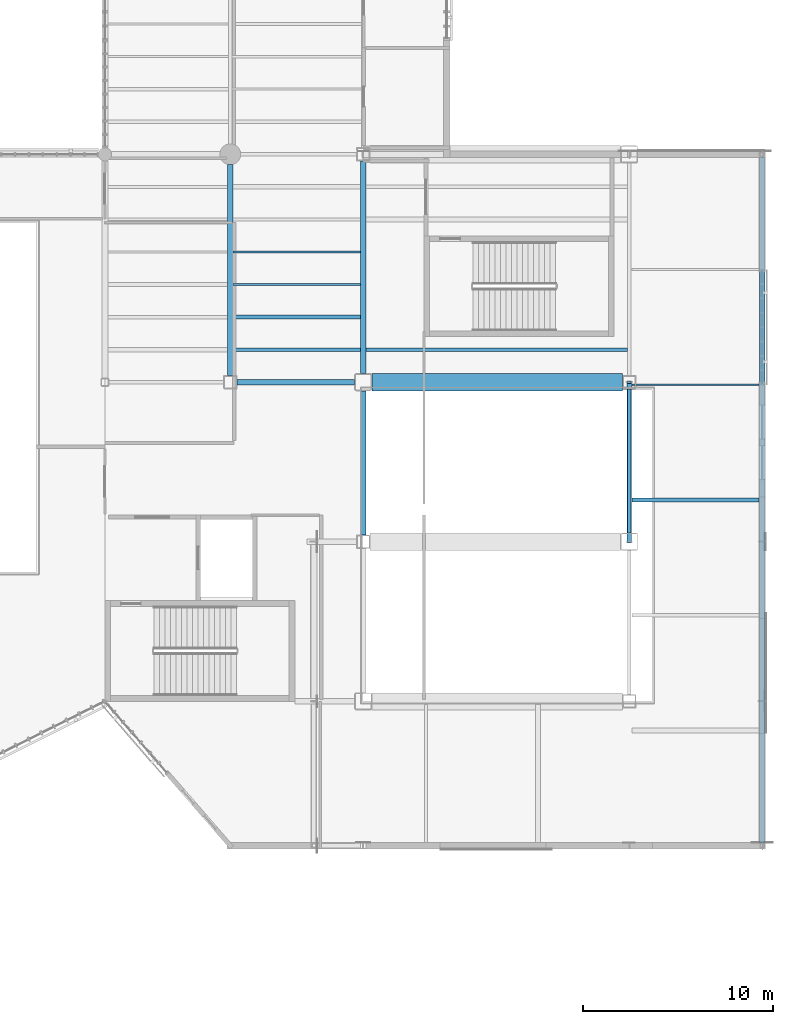
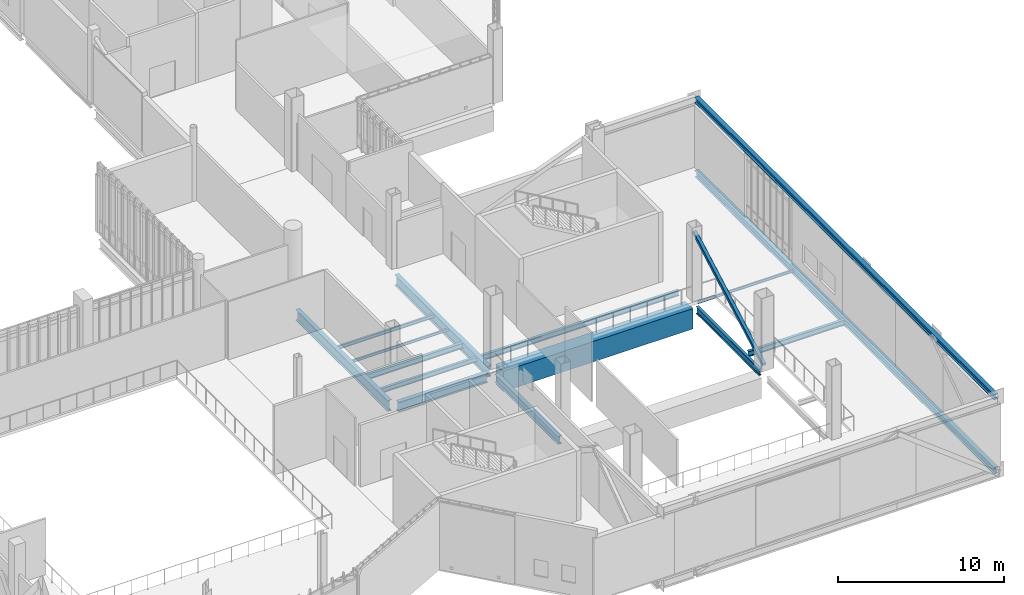
# One storey, part 28 of 127: 15 beams, 1 member.
"""IFC4 building model written with IfcOpenShell, lengths in metres."""

from ifc_helpers import new_model, si_unit, direction, frame, origin, origin_2d, place, context, subcontext, project, spatial, rectangle, hollow_rectangle, i_section, extrude, material, material_profile, profile_set, type_object, element, save


model = new_model("IFC4")

# Units and contexts
model_context = context("Model", 3, precision=1e-05, world=origin(), true_north=direction((0.0, 1.0)))
body_context = subcontext(model_context, "Body", "Model", "MODEL_VIEW")
ifc_project = project(units=[si_unit("LENGTHUNIT", "METRE"), si_unit("AREAUNIT", "SQUARE_METRE"), si_unit("VOLUMEUNIT", "CUBIC_METRE"), si_unit("PLANEANGLEUNIT", "RADIAN"), si_unit("MASSUNIT", "GRAM", prefix="KILO")], contexts=[model_context])

# Site, building, storey
site_placement = place(None, origin())
site = spatial("IfcSite", under=ifc_project, at=site_placement, CompositionType="ELEMENT")
building_placement = place(site_placement, origin())
building = spatial("IfcBuilding", under=site, at=building_placement, Name="Larkvane Passage Sports Hall", CompositionType="ELEMENT")
storey_placement = place(building_placement, frame((0.0, 0.0, 5.39990234375)))
storey = spatial("IfcBuildingStorey", under=building, at=storey_placement, Name="L01", CompositionType="ELEMENT", Elevation=5.39990234375)

# Beams
ifc_material_1 = material(Name="Steel S355JR", Category="steel")
ifc_material_profile_1 = material_profile(ifc_material_1, i_section(OverallWidth=0.300048828125, OverallDepth=0.389892578125, WebThickness=0.010009765625, FlangeThickness=0.01611328125, FilletRadius=0.01806640625, at=origin_2d()), Name="H-390x300x10x16")
ifc_profile_set_1 = profile_set([ifc_material_profile_1], Name="Steel S355JR")
beam_type_1 = type_object("IfcBeamType", Name="BM-STL-H390", PredefinedType="BEAM", material=ifc_profile_set_1)
beam_1_placement = place(storey_placement, frame((152.60009765625, 15.35009765625, 4.955078125), z_axis=(0.0, 1.0, 0.0), x_axis=(-1.0, 0.0, 0.0)))
element("IfcBeam", 1, at=beam_1_placement, inside=storey, type_object=beam_type_1, Name="Cantilever transverse top beam CT-E1A--3", PredefinedType="BEAM", context=body_context, shape_type="SweptSolid", body=[
    extrude(i_section(OverallWidth=0.300048828125, OverallDepth=0.389892578125, WebThickness=0.010009765625, FlangeThickness=0.01611328125, FilletRadius=0.01806640625, at=origin_2d()), origin(), (0.0, 0.0, 1.0), 36.099853515625),
])
ifc_material_profile_2 = material_profile(ifc_material_1, i_section(OverallWidth=0.300048828125, OverallDepth=0.488037109375, WebThickness=0.010986328125, FlangeThickness=0.01806640625, FilletRadius=0.02197265625, at=origin_2d()), Name="H-488x300x11x18")
ifc_profile_set_2 = profile_set([ifc_material_profile_2], Name="Steel S355JR")
beam_type_2 = type_object("IfcBeamType", Name="BM-STL-H488", PredefinedType="BEAM", material=ifc_profile_set_2)
beam_2_placement = place(storey_placement, frame((152.60009765625, 15.35009765625, -0.473876953125), z_axis=(0.0, 1.0, 0.0), x_axis=(-1.0, 0.0, 0.0)))
element("IfcBeam", 2, at=beam_2_placement, inside=storey, type_object=beam_type_2, Name="Cantilever transverse flr beam CT-E1A--3", PredefinedType="BEAM", context=body_context, shape_type="SweptSolid", body=[
    extrude(i_section(OverallWidth=0.300048828125, OverallDepth=0.488037109375, WebThickness=0.010986328125, FlangeThickness=0.01806640625, FilletRadius=0.02197265625, at=origin_2d()), origin(), (0.0, 0.0, 1.0), 36.099853515625),
])
ifc_material_2 = material(Name="Steel S460N", Category="steel")
ifc_material_profile_3 = material_profile(ifc_material_2, i_section(OverallWidth=0.300048828125, OverallDepth=0.58203125, WebThickness=0.011962890625, FlangeThickness=0.01708984375, FilletRadius=0.02197265625, at=origin_2d()), Name="H-582x300x12x17")
ifc_profile_set_3 = profile_set([ifc_material_profile_3], Name="Steel S460N")
beam_type_3 = type_object("IfcBeamType", Name="BM-STL-H582", PredefinedType="BEAM", material=ifc_profile_set_3)
beam_3_placement = place(storey_placement, frame((131.60009765625, 31.550048828125, -0.7109375), z_axis=(0.0, 1.0, 0.0), x_axis=(-1.0, 0.0, 0.0)))
element("IfcBeam", 3, at=beam_3_placement, inside=storey, type_object=beam_type_3, Name="Girder BM5-Y-L01-18-0499", PredefinedType="BEAM", context=body_context, shape_type="SweptSolid", body=[
    extrude(i_section(OverallWidth=0.300048828125, OverallDepth=0.58203125, WebThickness=0.011962890625, FlangeThickness=0.01708984375, FilletRadius=0.02197265625, at=origin_2d()), origin(), (0.0, 0.0, 1.0), 7.599853515625),
])
ifc_material_profile_4 = material_profile(ifc_material_2, i_section(OverallWidth=0.300048828125, OverallDepth=0.69189453125, WebThickness=0.012939453125, FlangeThickness=0.02001953125, FilletRadius=0.02197265625, at=origin_2d()), Name="H-692x300x13x20")
ifc_profile_set_4 = profile_set([ifc_material_profile_4], Name="Steel S460N")
beam_type_4 = type_object("IfcBeamType", Name="BM-STL-H692", PredefinedType="BEAM", material=ifc_profile_set_4)
beam_4_placement = place(storey_placement, frame((124.949951171875, 39.60009765625, -0.765869140625), z_axis=(1.0, 0.0, 0.0), x_axis=(0.0, 1.0, 0.0)))
element("IfcBeam", 4, at=beam_4_placement, inside=storey, type_object=beam_type_4, Name="Girder BM5-X-L01-F-0398", PredefinedType="BEAM", context=body_context, shape_type="SweptSolid", body=[
    extrude(i_section(OverallWidth=0.300048828125, OverallDepth=0.69189453125, WebThickness=0.012939453125, FlangeThickness=0.02001953125, FilletRadius=0.02197265625, at=origin_2d()), origin(), (0.0, 0.0, 1.0), 6.199951171875),
])
ifc_material_profile_5 = material_profile(ifc_material_2, i_section(OverallWidth=0.300048828125, OverallDepth=0.7919921875, WebThickness=0.013916015625, FlangeThickness=0.02197265625, FilletRadius=0.02197265625, at=origin_2d()), Name="H-792x300x14x22")
ifc_profile_set_5 = profile_set([ifc_material_profile_5], Name="Steel S460N")
beam_type_5 = type_object("IfcBeamType", Name="BM-STL-H792", PredefinedType="BEAM", material=ifc_profile_set_5)
beam_5_placement = place(storey_placement, frame((124.60009765625, 39.949951171875, -0.81591796875), z_axis=(0.0, 1.0, 0.0), x_axis=(-1.0, 0.0, 0.0)))
element("IfcBeam", 5, at=beam_5_placement, inside=storey, type_object=beam_type_5, Name="Girder BM5-Y-L01-17-0492", PredefinedType="BEAM", context=body_context, shape_type="SweptSolid", body=[
    extrude(i_section(OverallWidth=0.300048828125, OverallDepth=0.7919921875, WebThickness=0.013916015625, FlangeThickness=0.02197265625, FilletRadius=0.02197265625, at=origin_2d()), origin(), (0.0, 0.0, 1.0), 11.10009765625),
])
beam_6_placement = place(storey_placement, frame((131.60009765625, 40.050048828125, -0.81591796875), z_axis=(0.0, 1.0, 0.0), x_axis=(-1.0, 0.0, 0.0)))
element("IfcBeam", 6, at=beam_6_placement, inside=storey, type_object=beam_type_5, Name="Girder BM5-Y-L01-18-0500", PredefinedType="BEAM", context=body_context, shape_type="SweptSolid", body=[
    extrude(i_section(OverallWidth=0.300048828125, OverallDepth=0.7919921875, WebThickness=0.013916015625, FlangeThickness=0.02197265625, FilletRadius=0.02197265625, at=origin_2d()), origin(), (0.0, 0.0, 1.0), 11.199951171875),
])
ifc_material_profile_6 = material_profile(ifc_material_1, i_section(OverallWidth=0.10009765625, OverallDepth=0.199951171875, WebThickness=0.005615234375, FlangeThickness=0.008056640625, FilletRadius=0.008056640625, at=origin_2d()), Name="H-200x100x5.5x8")
ifc_profile_set_6 = profile_set([ifc_material_profile_6], Name="Steel S355JR")
beam_type_6 = type_object("IfcBeamType", Name="JST-STL-H200", PredefinedType="JOIST", material=ifc_profile_set_6)
beam_7_placement = place(storey_placement, frame((124.75, 44.742919921875, -0.52001953125), z_axis=(1.0, 0.0, 0.0), x_axis=(0.0, 1.0, 0.0)))
element("IfcBeam", 7, at=beam_7_placement, inside=storey, type_object=beam_type_6, Name="Composite joist L01 17/F-3", PredefinedType="JOIST", context=body_context, shape_type="SweptSolid", body=[
    extrude(i_section(OverallWidth=0.10009765625, OverallDepth=0.199951171875, WebThickness=0.005615234375, FlangeThickness=0.008056640625, FilletRadius=0.008056640625, at=origin_2d()), origin(), (0.0, 0.0, 1.0), 6.699951171875),
])
beam_8_placement = place(storey_placement, frame((145.760009765625, 39.466552734375, -0.329833984375), z_axis=(1.0, 0.0, 0.0), x_axis=(0.0, 1.0, 0.0)))
element("IfcBeam", 8, at=beam_8_placement, inside=storey, type_object=beam_type_6, Name="Cantilever floor joist CT-E1A--2-4", PredefinedType="JOIST", context=body_context, shape_type="SweptSolid", body=[
    extrude(i_section(OverallWidth=0.10009765625, OverallDepth=0.199951171875, WebThickness=0.005615234375, FlangeThickness=0.008056640625, FilletRadius=0.008056640625, at=origin_2d()), origin(), (0.0, 0.0, 1.0), 6.679931640625),
])
ifc_material_profile_7 = material_profile(ifc_material_1, i_section(OverallWidth=0.125, OverallDepth=0.25, WebThickness=0.006103515625, FlangeThickness=0.009033203125, FilletRadius=0.008056640625, at=origin_2d()), Name="H-250x125x6x9")
ifc_profile_set_7 = profile_set([ifc_material_profile_7], Name="Steel S355JR")
beam_type_7 = type_object("IfcBeamType", Name="JST-STL-H250", PredefinedType="JOIST", material=ifc_profile_set_7)
beam_9_placement = place(storey_placement, frame((124.75, 46.45703125, -0.544921875), z_axis=(1.0, 0.0, 0.0), x_axis=(0.0, 1.0, 0.0)))
element("IfcBeam", 9, at=beam_9_placement, inside=storey, type_object=beam_type_7, Name="Composite joist L01 17/F-4", PredefinedType="JOIST", context=body_context, shape_type="SweptSolid", body=[
    extrude(i_section(OverallWidth=0.125, OverallDepth=0.25, WebThickness=0.006103515625, FlangeThickness=0.009033203125, FilletRadius=0.008056640625, at=origin_2d()), origin(), (0.0, 0.0, 1.0), 6.699951171875),
])
ifc_material_profile_8 = material_profile(ifc_material_1, i_section(OverallWidth=0.175048828125, OverallDepth=0.35009765625, WebThickness=0.007080078125, FlangeThickness=0.010986328125, FilletRadius=0.012939453125, at=origin_2d()), Name="H-350x175x7x11")
ifc_profile_set_8 = profile_set([ifc_material_profile_8], Name="Steel S355JR")
beam_type_8 = type_object("IfcBeamType", Name="JST-STL-H350", PredefinedType="JOIST", material=ifc_profile_set_8)
beam_10_placement = place(storey_placement, frame((124.75, 41.314208984375, -0.594970703125), z_axis=(1.0, 0.0, 0.0), x_axis=(0.0, 1.0, 0.0)))
element("IfcBeam", 10, at=beam_10_placement, inside=storey, type_object=beam_type_8, Name="Composite joist L01 17/F-1", PredefinedType="JOIST", context=body_context, shape_type="SweptSolid", body=[
    extrude(i_section(OverallWidth=0.175048828125, OverallDepth=0.35009765625, WebThickness=0.007080078125, FlangeThickness=0.010986328125, FilletRadius=0.012939453125, at=origin_2d()), origin(), (0.0, 0.0, 1.0), 6.699951171875),
])
ifc_material_profile_9 = material_profile(ifc_material_1, i_section(OverallWidth=0.199951171875, OverallDepth=0.39990234375, WebThickness=0.008056640625, FlangeThickness=0.012939453125, FilletRadius=0.012939453125, at=origin_2d()), Name="H-400x200x8x13")
ifc_profile_set_9 = profile_set([ifc_material_profile_9], Name="Steel S355JR")
beam_type_9 = type_object("IfcBeamType", Name="JST-STL-H400", PredefinedType="JOIST", material=ifc_profile_set_9)
beam_11_placement = place(storey_placement, frame((124.75, 43.028564453125, -0.619873046875), z_axis=(1.0, 0.0, 0.0), x_axis=(0.0, 1.0, 0.0)))
element("IfcBeam", 11, at=beam_11_placement, inside=storey, type_object=beam_type_9, Name="Composite joist L01 17/F-2", PredefinedType="JOIST", context=body_context, shape_type="SweptSolid", body=[
    extrude(i_section(OverallWidth=0.199951171875, OverallDepth=0.39990234375, WebThickness=0.008056640625, FlangeThickness=0.012939453125, FilletRadius=0.012939453125, at=origin_2d()), origin(), (0.0, 0.0, 1.0), 6.699951171875),
])
beam_12_placement = place(storey_placement, frame((131.75, 41.314208984375, -0.619873046875), z_axis=(1.0, 0.0, 0.0), x_axis=(0.0, 1.0, 0.0)))
element("IfcBeam", 12, at=beam_12_placement, inside=storey, type_object=beam_type_9, Name="Composite joist L01 18/F-1", PredefinedType="JOIST", context=body_context, shape_type="SweptSolid", body=[
    extrude(i_section(OverallWidth=0.199951171875, OverallDepth=0.39990234375, WebThickness=0.008056640625, FlangeThickness=0.012939453125, FilletRadius=0.012939453125, at=origin_2d()), origin(), (0.0, 0.0, 1.0), 13.75),
])
beam_13_placement = place(storey_placement, frame((145.760009765625, 33.39990234375, -0.429931640625), z_axis=(1.0, 0.0, 0.0), x_axis=(0.0, 1.0, 0.0)))
element("IfcBeam", 13, at=beam_13_placement, inside=storey, type_object=beam_type_9, Name="Cantilever floor joist CT-E1A--2-3", PredefinedType="JOIST", context=body_context, shape_type="SweptSolid", body=[
    extrude(i_section(OverallWidth=0.199951171875, OverallDepth=0.39990234375, WebThickness=0.008056640625, FlangeThickness=0.012939453125, FilletRadius=0.012939453125, at=origin_2d()), origin(), (0.0, 0.0, 1.0), 6.679931640625),
])

# Member
ifc_material_profile_10 = material_profile(ifc_material_2, hollow_rectangle(XDim=0.25, YDim=0.25, WallThickness=0.011962890625, InnerFilletRadius=0.011962890625, OuterFilletRadius=0.02392578125, at=origin_2d()), Name="SHS-250x250x12")
ifc_profile_set_10 = profile_set([ifc_material_profile_10], Name="Steel S460N")
member_type = type_object("IfcMemberType", Name="MBR-BR-SHS250", PredefinedType="BRACE", material=ifc_profile_set_10)
member_placement = place(storey_placement, frame((145.60009765625, 31.199951171875, 0.150146484375), z_axis=(0.0, 0.872688907094, 0.488276634128), x_axis=(-1.0, 0.0, 0.0)))
element("IfcMember", 14, at=member_placement, inside=storey, type_object=member_type, Name="Lateral frame brace L01-4", PredefinedType="BRACE", context=body_context, shape_type="SweptSolid", body=[
    extrude(hollow_rectangle(XDim=0.25, YDim=0.25, WallThickness=0.011962890625, InnerFilletRadius=0.011962890625, OuterFilletRadius=0.02392578125, at=origin_2d()), origin(), (0.0, 0.0, 1.0), 9.62548828125),
])

# Beams
ifc_material_3 = material(Name="Concrete C50/60", Category="concrete")
ifc_material_profile_11 = material_profile(ifc_material_3, rectangle(XDim=0.89990234375, YDim=1.5, at=origin_2d()), Name="PT-GIR-900x1500")
ifc_profile_set_11 = profile_set([ifc_material_profile_11], Name="Concrete C50/60")
beam_type_10 = type_object("IfcBeamType", Name="PTG-900x1500", PredefinedType="BEAM", material=ifc_profile_set_11)
beam_14_placement = place(storey_placement, frame((132.050048828125, 39.60009765625, -1.169921875), z_axis=(1.0, 0.0, 0.0), x_axis=(0.0, 1.0, 0.0)))
element("IfcBeam", 15, at=beam_14_placement, inside=storey, type_object=beam_type_10, Name="Post-tensioned transfer girder BM5-X-L01-F-0399", PredefinedType="BEAM", context=body_context, shape_type="SweptSolid", body=[
    extrude(rectangle(XDim=0.89990234375, YDim=1.5, at=origin_2d()), origin(), (0.0, 0.0, 1.0), 13.199951171875),
])
ifc_material_profile_12 = material_profile(ifc_material_1, i_section(OverallWidth=0.199951171875, OverallDepth=0.5, WebThickness=0.010009765625, FlangeThickness=0.01611328125, FilletRadius=0.01806640625, at=origin_2d()), Name="H-500x200x10x16")
ifc_profile_set_12 = profile_set([ifc_material_profile_12], Name="Steel S355JR")
beam_type_11 = type_object("IfcBeamType", Name="SP-STL-H500", PredefinedType="SPANDREL", material=ifc_profile_set_12)
beam_15_placement = place(storey_placement, frame((145.60009765625, 31.64990234375, -0.669921875), z_axis=(0.0, 1.0, 0.0), x_axis=(-1.0, 0.0, 0.0)))
element("IfcBeam", 16, at=beam_15_placement, inside=storey, type_object=beam_type_11, Name="Girder BM5-Y-L01-19-0504", PredefinedType="SPANDREL", context=body_context, shape_type="SweptSolid", body=[
    extrude(i_section(OverallWidth=0.199951171875, OverallDepth=0.5, WebThickness=0.010009765625, FlangeThickness=0.01611328125, FilletRadius=0.01806640625, at=origin_2d()), origin(), (0.0, 0.0, 1.0), 7.60009765625),
])

save(model, "model.ifc")
